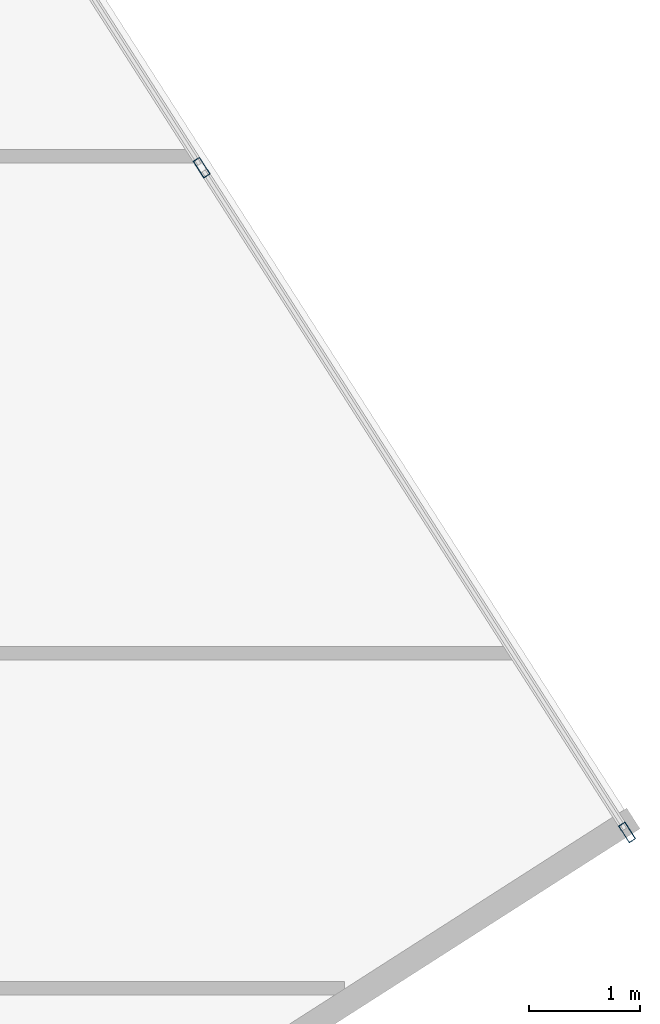
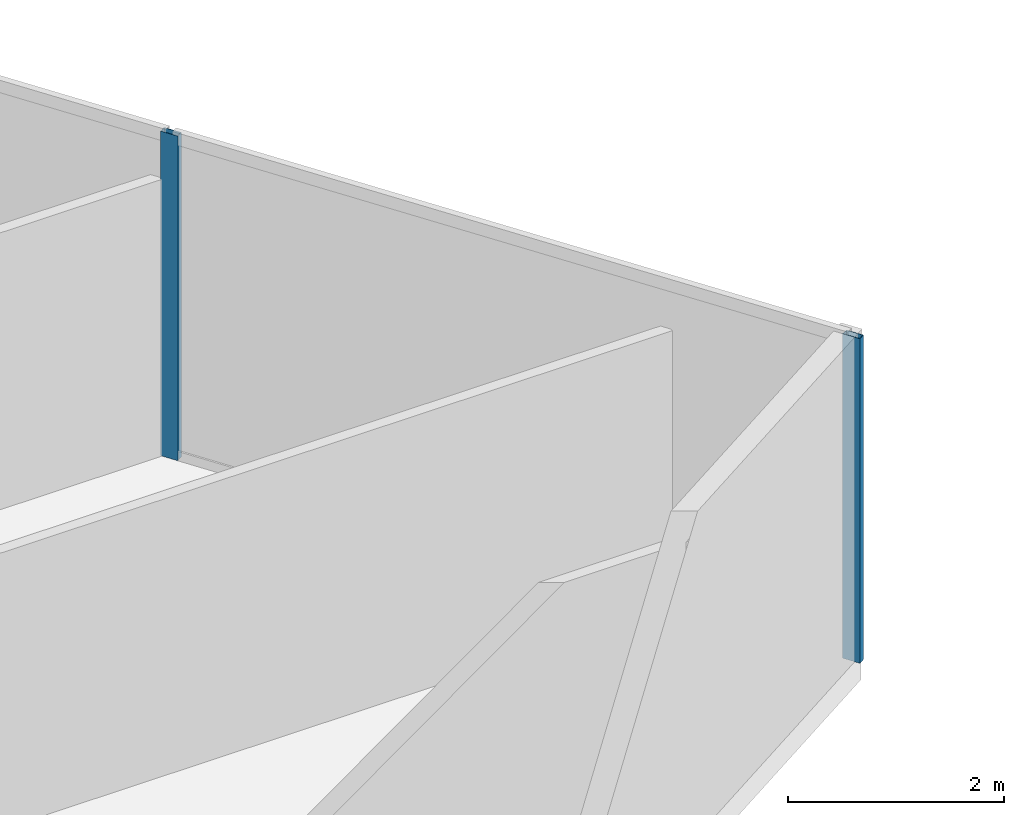
# One storey, part 10 of 20: 2 members, 1 element without a shape of its own.
"""IFC4 building model written with IfcOpenShell, lengths in metres."""

from ifc_helpers import new_model, si_unit, direction, frame, origin, origin_2d, place, context, subcontext, project, spatial, hollow_rectangle, extrude, source, transform, mapped, material, material_profile, profile_set, type_object, type_shapes, element, aggregate, save


model = new_model("IFC4")

# Units and contexts
model_context = context("Model", 3, precision=1e-05, world=origin(), true_north=direction((0.0, 1.0)))
body_context = subcontext(model_context, "Body", "Model", "MODEL_VIEW")
ifc_project = project(units=[si_unit("LENGTHUNIT", "METRE"), si_unit("AREAUNIT", "SQUARE_METRE"), si_unit("VOLUMEUNIT", "CUBIC_METRE"), si_unit("PLANEANGLEUNIT", "RADIAN"), si_unit("MASSUNIT", "GRAM", prefix="KILO")], contexts=[model_context])

# Site, building, storey
site_placement = place(None, origin())
site = spatial("IfcSite", under=ifc_project, at=site_placement, CompositionType="ELEMENT")
building_placement = place(site_placement, origin())
building = spatial("IfcBuilding", under=site, at=building_placement, Name="Krantzveldt Concourse Tower", CompositionType="ELEMENT")
storey_placement = place(building_placement, frame((0.0, 0.0, 291.10009765625)))
storey = spatial("IfcBuildingStorey", under=building, at=storey_placement, Name="L71", CompositionType="ELEMENT", Elevation=291.10009765625)

# Curtain wall, members
ifc_material = material(Name="Anodised aluminium 6063-T6", Category="aluminium")
curtain_wall_type = type_object("IfcCurtainWallType", Name="CW4", PredefinedType="USERDEFINED", material=ifc_material)
curtain_wall_placement = place(storey_placement, origin())
curtain_wall = element("IfcCurtainWall", 1, at=curtain_wall_placement, inside=storey, type_object=curtain_wall_type, Name="CW-L71-F10", ObjectType="UNITISED CURTAIN WALL", PredefinedType="USERDEFINED")
ifc_material_profile = material_profile(ifc_material, hollow_rectangle(XDim=0.070068359375, YDim=0.179931640625, WallThickness=0.0048828125, at=origin_2d()), Name="Anodised aluminium 6063-T6", Category="aluminium")
ifc_profile_set = profile_set([ifc_material_profile], Name="Anodised aluminium 6063-T6 - ALU-MULL 180x70x5")
member_type = type_object("IfcMemberType", Name="CW-MUL-180", PredefinedType="MULLION", material=ifc_profile_set)
shared_shape = source(origin(), body_context, "Body", "SweptSolid", [
    extrude(hollow_rectangle(XDim=0.070068359375, YDim=0.179931640625, WallThickness=0.0048828125, at=origin_2d()), origin(), (0.0, 0.0, 1.0), 3.669921875),
])
type_shapes(member_type, [shared_shape])
member_1_placement = place(storey_placement, frame((60.12255859375, 25.204345703125, 0.0), z_axis=(0.0, 0.0, 1.0), x_axis=(-0.842217243088, -0.53913830827, 0.0)))
member_1 = element("IfcMember", 2, at=member_1_placement, type_object=member_type, Name="CW-Z56 mullion 1", PredefinedType="MULLION", context=body_context, shape_type="MappedRepresentation", body=[
    mapped(shared_shape, transform((0.0, 0.0, 0.0), x_axis=(1.0, 0.0, 0.0), y_axis=(0.0, 1.0, 0.0), z_axis=(0.0, 0.0, 1.0), scale=1.0)),
])
member_2_placement = place(storey_placement, frame((56.28662109375, 31.19677734375, 0.0), z_axis=(0.0, 0.0, 1.0), x_axis=(-0.842217243088, -0.53913830827, 0.0)))
member_2 = element("IfcMember", 3, at=member_2_placement, type_object=member_type, Name="CW-Z56 mullion 2", PredefinedType="MULLION", context=body_context, shape_type="MappedRepresentation", body=[
    mapped(shared_shape, transform((0.0, 0.0, 0.0), x_axis=(1.0, 0.0, 0.0), y_axis=(0.0, 1.0, 0.0), z_axis=(0.0, 0.0, 1.0), scale=1.0)),
])
aggregate(curtain_wall, [member_1, member_2])

save(model, "model.ifc")
